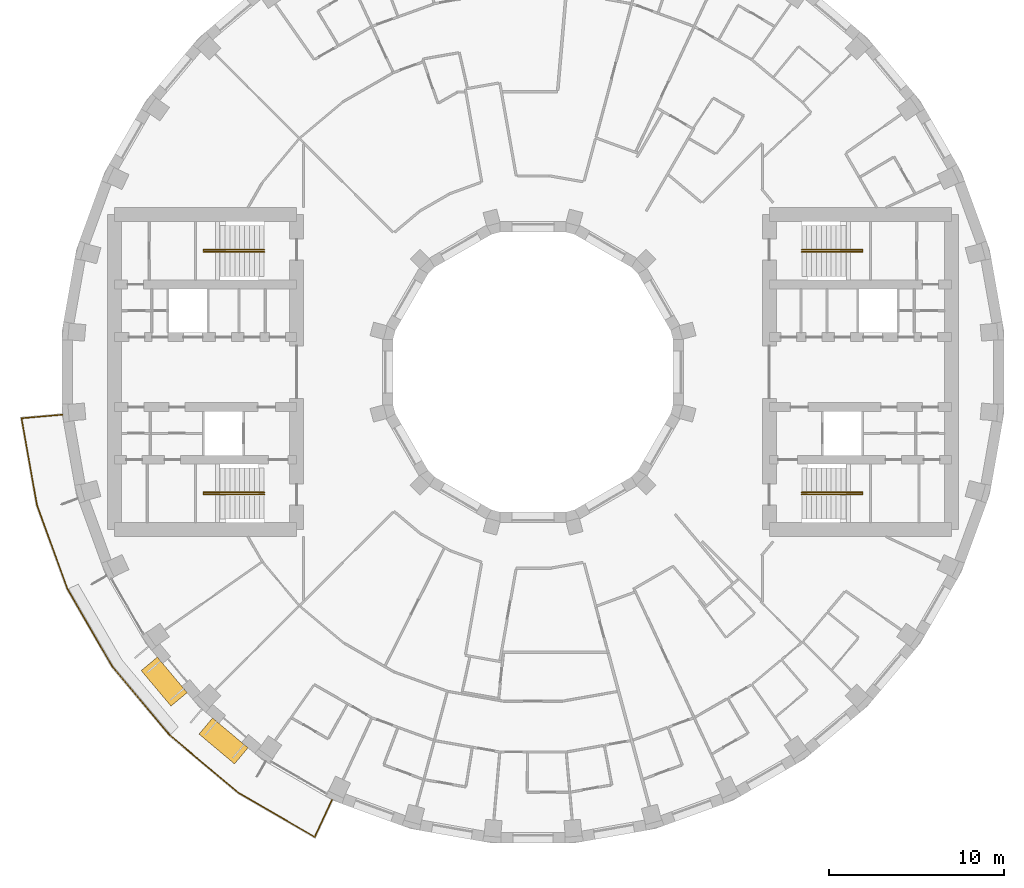
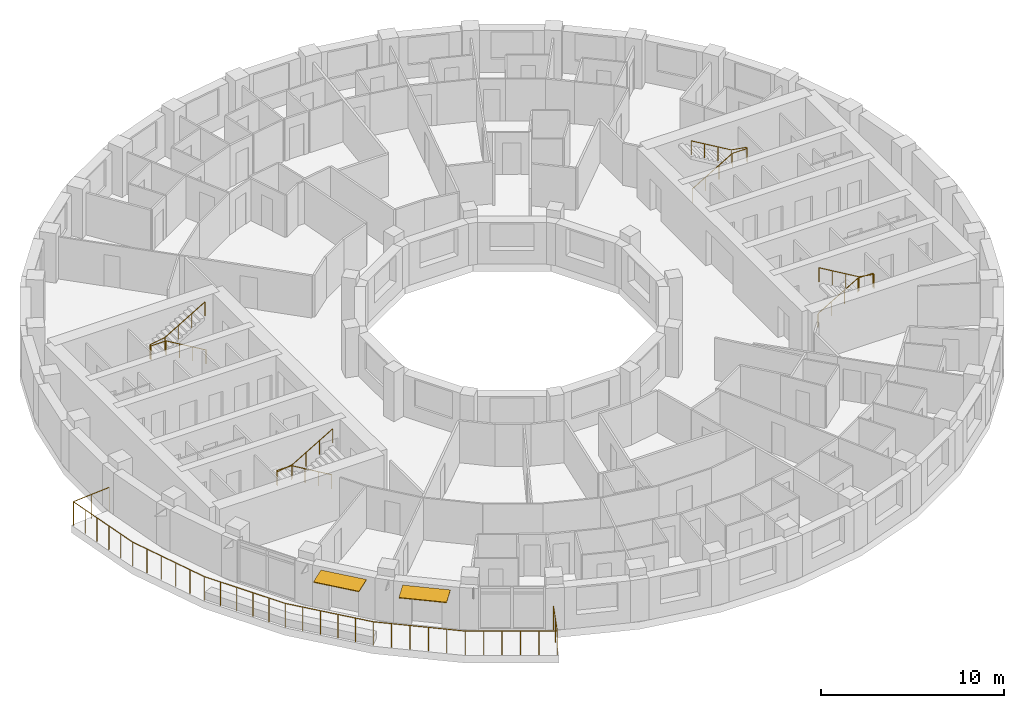
# One storey, part 16 of 16: 5 railings, 2 shading devices.
"""IFC4 building model written with IfcOpenShell, lengths in metres."""

from ifc_helpers import new_model, si_unit, direction, frame, origin, origin_2d, place, context, subcontext, project, spatial, rectangle, circle, extrude, material, layer, layer_set, type_object, element, save


model = new_model("IFC4")

# Units and contexts
model_context = context("Model", 3, precision=1e-05, world=origin(), true_north=direction((0.0, 1.0)))
body_context = subcontext(model_context, "Body", "Model", "MODEL_VIEW")
ifc_project = project(units=[si_unit("LENGTHUNIT", "METRE"), si_unit("AREAUNIT", "SQUARE_METRE"), si_unit("VOLUMEUNIT", "CUBIC_METRE"), si_unit("PLANEANGLEUNIT", "RADIAN"), si_unit("MASSUNIT", "GRAM", prefix="KILO")], contexts=[model_context])

# Site, building, storey
site_placement = place(None, origin())
site = spatial("IfcSite", under=ifc_project, at=site_placement, CompositionType="ELEMENT")
building_placement = place(site_placement, origin())
building = spatial("IfcBuilding", under=site, at=building_placement, Name="Saqina Gate Tower", CompositionType="ELEMENT")
storey_placement = place(building_placement, frame((0.0, 0.0, 121.60009765625)))
storey = spatial("IfcBuildingStorey", under=building, at=storey_placement, Name="L34", CompositionType="ELEMENT", Elevation=121.60009765625)

# Shading devices
ifc_material_1 = material(Name="Aluminium and fabric awning", Category="aluminium")
ifc_layer = layer(ifc_material_1, 0.050048828125)
ifc_layer_set = layer_set([ifc_layer], Name="AW-TERRACE")
shading_device_type = type_object("IfcShadingDeviceType", Name="AW-TERRACE", PredefinedType="AWNING", material=ifc_layer_set)
for number, where, z_axis, x_axis, name in (
    (1, (-21.064208984375, -17.6748046875, 2.52490234375), (0.0, 0.0, 1.0), (0.642787609687, -0.766044443119, 0.0), "Terrace awning L34 facet 22"),
    (2, (-17.6748046875, -21.064208984375, 2.52490234375), (0.0, 0.0, 1.0), (0.766044443119, -0.642787609687, 0.0), "Terrace awning L34 facet 23"),
):
    element("IfcShadingDevice", number, at=place(storey_placement, frame(where, z_axis=z_axis, x_axis=x_axis)), inside=storey, type_object=shading_device_type, Name=name, PredefinedType="AWNING", context=body_context, shape_type="SweptSolid", body=[
        extrude(rectangle(XDim=2.647705078125, YDim=1.199951171875, at=origin_2d()), origin(), (0.0, 0.0, 1.0), 0.050048828125),
    ])

# Railings
ifc_material_2 = material(Name="Stainless steel", Category="steel")
railing_type_1 = type_object("IfcRailingType", Name="RL-TERRACE", PredefinedType="GUARDRAIL", material=ifc_material_2)
railing_1_placement = place(storey_placement, frame((-26.83056640625, -2.427734375, 0.0)))
element("IfcRailing", 3, at=railing_1_placement, inside=storey, type_object=railing_type_1, Name="Terrace guard L34", PredefinedType="GUARDRAIL", context=body_context, shape_type="SweptSolid", body=[
    extrude(circle(Radius=0.02392578125, at=origin_2d()), frame((0.0, 0.0, 1.576171875), z_axis=(-0.996192497087, -0.087180896688, 0.0), x_axis=(0.087180896688, -0.996192497087, 0.0)), (0.0, 0.0, 1.0), 2.388671875),
    extrude(circle(Radius=0.02392578125, at=origin_2d()), frame((-2.379638671875, -0.208251953125, 1.576171875), z_axis=(0.174986307817, -0.984570866965, 0.0), x_axis=(0.984570866965, 0.174986307817, 0.0)), (0.0, 0.0, 1.0), 5.032470703125),
    extrude(circle(Radius=0.02392578125, at=origin_2d()), frame((-1.4990234375, -5.1630859375, 1.576171875), z_axis=(0.342011445423, -0.939695786518, 0.0), x_axis=(0.939695786518, 0.342011445423, 0.0)), (0.0, 0.0, 1.0), 5.112548828125),
    extrude(circle(Radius=0.02392578125, at=origin_2d()), frame((0.24951171875, -9.96728515625, 1.576171875), z_axis=(0.500011827544, -0.866018575041, 0.0), x_axis=(0.866018575041, 0.500011827544, 0.0)), (0.0, 0.0, 1.0), 5.1123046875),
    extrude(circle(Radius=0.02392578125, at=origin_2d()), frame((2.8056640625, -14.39453125, 1.576171875), z_axis=(0.642815711334, -0.766020862158, 0.0), x_axis=(0.766020862158, 0.642815711334, 0.0)), (0.0, 0.0, 1.0), 5.112548828125),
    extrude(circle(Radius=0.02392578125, at=origin_2d()), frame((6.092041015625, -18.310791015625, 1.576171875), z_axis=(0.766020862158, -0.642815711334, 0.0), x_axis=(0.642815711334, 0.766020862158, 0.0)), (0.0, 0.0, 1.0), 5.112548828125),
    extrude(circle(Radius=0.02392578125, at=origin_2d()), frame((10.00830078125, -21.59716796875, 1.576171875), z_axis=(0.86534767014, -0.501172036115, 0.0), x_axis=(0.501172036115, 0.86534767014, 0.0)), (0.0, 0.0, 1.0), 5.03271484375),
    extrude(circle(Radius=0.02392578125, at=origin_2d()), frame((14.36328125, -24.119384765625, 1.576171875), z_axis=(0.422600102855, 0.906316254443, 0.0), x_axis=(-0.906316254443, 0.422600102855, 0.0)), (0.0, 0.0, 1.0), 2.388916015625),
    extrude(circle(Radius=0.02099609375, at=origin_2d()), origin(), (0.0, 0.0, 1.0), 1.552001953125),
    extrude(circle(Radius=0.02099609375, at=origin_2d()), frame((-1.18994140625, -0.10400390625, 0.0)), (0.0, 0.0, 1.0), 1.552001953125),
    extrude(circle(Radius=0.02099609375, at=origin_2d()), frame((-2.379638671875, -0.208251953125, 0.0)), (0.0, 0.0, 1.0), 1.552001953125),
    extrude(circle(Radius=0.02099609375, at=origin_2d()), frame((-2.20361328125, -1.19921875, 0.0)), (0.0, 0.0, 1.0), 1.552001953125),
    extrude(circle(Radius=0.02099609375, at=origin_2d()), frame((-2.02734375, -2.190185546875, 0.0)), (0.0, 0.0, 1.0), 1.552001953125),
    extrude(circle(Radius=0.02099609375, at=origin_2d()), frame((-1.851318359375, -3.18115234375, 0.0)), (0.0, 0.0, 1.0), 1.552001953125),
    extrude(circle(Radius=0.02099609375, at=origin_2d()), frame((-1.675048828125, -4.172119140625, 0.0)), (0.0, 0.0, 1.0), 1.552001953125),
    extrude(circle(Radius=0.02099609375, at=origin_2d()), frame((-1.4990234375, -5.1630859375, 0.0)), (0.0, 0.0, 1.0), 1.552001953125),
    extrude(circle(Radius=0.02099609375, at=origin_2d()), frame((-1.1494140625, -6.1240234375, 0.0)), (0.0, 0.0, 1.0), 1.552001953125),
    extrude(circle(Radius=0.02099609375, at=origin_2d()), frame((-0.799560546875, -7.084716796875, 0.0)), (0.0, 0.0, 1.0), 1.552001953125),
    extrude(circle(Radius=0.02099609375, at=origin_2d()), frame((-0.449951171875, -8.045654296875, 0.0)), (0.0, 0.0, 1.0), 1.552001953125),
    extrude(circle(Radius=0.02099609375, at=origin_2d()), frame((-0.10009765625, -9.00634765625, 0.0)), (0.0, 0.0, 1.0), 1.552001953125),
    extrude(circle(Radius=0.02099609375, at=origin_2d()), frame((0.24951171875, -9.96728515625, 0.0)), (0.0, 0.0, 1.0), 1.552001953125),
    extrude(circle(Radius=0.02099609375, at=origin_2d()), frame((0.7607421875, -10.852783203125, 0.0)), (0.0, 0.0, 1.0), 1.552001953125),
    extrude(circle(Radius=0.02099609375, at=origin_2d()), frame((1.27197265625, -11.73828125, 0.0)), (0.0, 0.0, 1.0), 1.552001953125),
    extrude(circle(Radius=0.02099609375, at=origin_2d()), frame((1.783203125, -12.62353515625, 0.0)), (0.0, 0.0, 1.0), 1.552001953125),
    extrude(circle(Radius=0.02099609375, at=origin_2d()), frame((2.29443359375, -13.509033203125, 0.0)), (0.0, 0.0, 1.0), 1.552001953125),
    extrude(circle(Radius=0.02099609375, at=origin_2d()), frame((2.8056640625, -14.39453125, 0.0)), (0.0, 0.0, 1.0), 1.552001953125),
    extrude(circle(Radius=0.02099609375, at=origin_2d()), frame((3.462890625, -15.177734375, 0.0)), (0.0, 0.0, 1.0), 1.552001953125),
    extrude(circle(Radius=0.02099609375, at=origin_2d()), frame((4.1201171875, -15.9609375, 0.0)), (0.0, 0.0, 1.0), 1.552001953125),
    extrude(circle(Radius=0.02099609375, at=origin_2d()), frame((4.777587890625, -16.744384765625, 0.0)), (0.0, 0.0, 1.0), 1.552001953125),
    extrude(circle(Radius=0.02099609375, at=origin_2d()), frame((5.434814453125, -17.527587890625, 0.0)), (0.0, 0.0, 1.0), 1.552001953125),
    extrude(circle(Radius=0.02099609375, at=origin_2d()), frame((6.092041015625, -18.310791015625, 0.0)), (0.0, 0.0, 1.0), 1.552001953125),
    extrude(circle(Radius=0.02099609375, at=origin_2d()), frame((6.875244140625, -18.968017578125, 0.0)), (0.0, 0.0, 1.0), 1.552001953125),
    extrude(circle(Radius=0.02099609375, at=origin_2d()), frame((7.658447265625, -19.625244140625, 0.0)), (0.0, 0.0, 1.0), 1.552001953125),
    extrude(circle(Radius=0.02099609375, at=origin_2d()), frame((8.44189453125, -20.28271484375, 0.0)), (0.0, 0.0, 1.0), 1.552001953125),
    extrude(circle(Radius=0.02099609375, at=origin_2d()), frame((9.22509765625, -20.93994140625, 0.0)), (0.0, 0.0, 1.0), 1.552001953125),
    extrude(circle(Radius=0.02099609375, at=origin_2d()), frame((10.00830078125, -21.59716796875, 0.0)), (0.0, 0.0, 1.0), 1.552001953125),
    extrude(circle(Radius=0.02099609375, at=origin_2d()), frame((10.87939453125, -22.1015625, 0.0)), (0.0, 0.0, 1.0), 1.552001953125),
    extrude(circle(Radius=0.02099609375, at=origin_2d()), frame((11.750244140625, -22.60595703125, 0.0)), (0.0, 0.0, 1.0), 1.552001953125),
    extrude(circle(Radius=0.02099609375, at=origin_2d()), frame((12.621337890625, -23.110595703125, 0.0)), (0.0, 0.0, 1.0), 1.552001953125),
    extrude(circle(Radius=0.02099609375, at=origin_2d()), frame((13.4921875, -23.614990234375, 0.0)), (0.0, 0.0, 1.0), 1.552001953125),
    extrude(circle(Radius=0.02099609375, at=origin_2d()), frame((14.36328125, -24.119384765625, 0.0)), (0.0, 0.0, 1.0), 1.552001953125),
    extrude(circle(Radius=0.02099609375, at=origin_2d()), frame((14.8681640625, -23.036865234375, 0.0)), (0.0, 0.0, 1.0), 1.552001953125),
    extrude(circle(Radius=0.02099609375, at=origin_2d()), frame((15.372802734375, -21.954345703125, 0.0)), (0.0, 0.0, 1.0), 1.552001953125),
])
ifc_material_3 = material(Name="Stainless steel", Category="steel")
railing_type_2 = type_object("IfcRailingType", Name="STAIR HANDRAIL", PredefinedType="HANDRAIL", material=ifc_material_3)
railing_2_placement = place(storey_placement, frame((15.35009765625, 6.86669921875, 0.164794921875)))
element("IfcRailing", 4, at=railing_2_placement, inside=storey, type_object=railing_type_2, Name="EXIT STAIR 1 HANDRAIL", PredefinedType="HANDRAIL", context=body_context, shape_type="SweptSolid", body=[
    extrude(circle(Radius=0.02392578125, at=origin_2d()), frame((0.0, 0.0, 0.92578125), z_axis=(0.86152411907, 0.0, 0.507716645641), x_axis=(0.0, 1.0, 0.0)), (0.0, 0.0, 1.0), 2.925048828125),
    extrude(circle(Radius=0.02392578125, at=origin_2d()), frame((2.52001953125, 0.0, 2.4111328125), z_axis=(1.0, 0.0, 0.0), x_axis=(0.0, 1.0, 0.0)), (0.0, 0.0, 1.0), 0.949951171875),
    extrude(circle(Radius=0.02392578125, at=origin_2d()), frame((3.469970703125, 0.0, 2.4111328125), z_axis=(0.0, 1.0, 0.0), x_axis=(-1.0, 0.0, 0.0)), (0.0, 0.0, 1.0), 0.11669921875),
    extrude(circle(Radius=0.02392578125, at=origin_2d()), frame((3.469970703125, 0.11669921875, 2.4111328125), z_axis=(-0.985241474778, 0.0, 0.171170197109), x_axis=(0.0, -1.0, 0.0)), (0.0, 0.0, 1.0), 0.964111328125),
    extrude(circle(Radius=0.02392578125, at=origin_2d()), frame((2.52001953125, 0.11669921875, 2.576171875), z_axis=(-0.861560626758, 0.0, 0.507654692109), x_axis=(0.0, -1.0, 0.0)), (0.0, 0.0, 1.0), 2.925048828125),
    extrude(circle(Radius=0.02099609375, at=origin_2d()), origin(), (0.0, 0.0, 1.0), 0.90185546875),
    extrude(circle(Radius=0.02099609375, at=origin_2d()), frame((0.840087890625, 0.0, 0.4951171875)), (0.0, 0.0, 1.0), 0.90185546875),
    extrude(circle(Radius=0.02099609375, at=origin_2d()), frame((1.679931640625, 0.0, 0.989990234375)), (0.0, 0.0, 1.0), 0.90185546875),
    extrude(circle(Radius=0.02099609375, at=origin_2d()), frame((2.52001953125, 0.0, 1.485107421875)), (0.0, 0.0, 1.0), 0.90185546875),
    extrude(circle(Radius=0.02099609375, at=origin_2d()), frame((3.469970703125, 0.0, 1.485107421875)), (0.0, 0.0, 1.0), 0.90185546875),
    extrude(circle(Radius=0.02099609375, at=origin_2d()), frame((3.469970703125, 0.11669921875, 1.485107421875)), (0.0, 0.0, 1.0), 0.90185546875),
    extrude(circle(Radius=0.02099609375, at=origin_2d()), frame((2.52001953125, 0.11669921875, 1.650146484375)), (0.0, 0.0, 1.0), 0.90185546875),
    extrude(circle(Radius=0.02099609375, at=origin_2d()), frame((1.679931640625, 0.11669921875, 2.14501953125)), (0.0, 0.0, 1.0), 0.90185546875),
    extrude(circle(Radius=0.02099609375, at=origin_2d()), frame((0.840087890625, 0.11669921875, 2.64013671875)), (0.0, 0.0, 1.0), 0.90185546875),
    extrude(circle(Radius=0.02099609375, at=origin_2d()), frame((0.0, 0.11669921875, 3.135009765625)), (0.0, 0.0, 1.0), 0.90185546875),
])
railing_3_placement = place(storey_placement, frame((15.35009765625, -6.86669921875, 0.164794921875)))
element("IfcRailing", 5, at=railing_3_placement, inside=storey, type_object=railing_type_2, Name="EXIT STAIR 2 HANDRAIL", PredefinedType="HANDRAIL", context=body_context, shape_type="SweptSolid", body=[
    extrude(circle(Radius=0.02392578125, at=origin_2d()), frame((0.0, 0.0, 0.92578125), z_axis=(0.86152411907, 0.0, 0.507716645641), x_axis=(0.0, 1.0, 0.0)), (0.0, 0.0, 1.0), 2.925048828125),
    extrude(circle(Radius=0.02392578125, at=origin_2d()), frame((2.52001953125, 0.0, 2.4111328125), z_axis=(1.0, 0.0, 0.0), x_axis=(0.0, 1.0, 0.0)), (0.0, 0.0, 1.0), 0.949951171875),
    extrude(circle(Radius=0.02392578125, at=origin_2d()), frame((3.469970703125, 0.0, 2.4111328125), z_axis=(0.0, -1.0, 0.0), x_axis=(1.0, 0.0, 0.0)), (0.0, 0.0, 1.0), 0.11669921875),
    extrude(circle(Radius=0.02392578125, at=origin_2d()), frame((3.469970703125, -0.11669921875, 2.4111328125), z_axis=(-0.985241474778, 0.0, 0.171170197109), x_axis=(0.0, -1.0, 0.0)), (0.0, 0.0, 1.0), 0.964111328125),
    extrude(circle(Radius=0.02392578125, at=origin_2d()), frame((2.52001953125, -0.11669921875, 2.576171875), z_axis=(-0.861560626758, 0.0, 0.507654692109), x_axis=(0.0, -1.0, 0.0)), (0.0, 0.0, 1.0), 2.925048828125),
    extrude(circle(Radius=0.02099609375, at=origin_2d()), origin(), (0.0, 0.0, 1.0), 0.90185546875),
    extrude(circle(Radius=0.02099609375, at=origin_2d()), frame((0.840087890625, 0.0, 0.4951171875)), (0.0, 0.0, 1.0), 0.90185546875),
    extrude(circle(Radius=0.02099609375, at=origin_2d()), frame((1.679931640625, 0.0, 0.989990234375)), (0.0, 0.0, 1.0), 0.90185546875),
    extrude(circle(Radius=0.02099609375, at=origin_2d()), frame((2.52001953125, 0.0, 1.485107421875)), (0.0, 0.0, 1.0), 0.90185546875),
    extrude(circle(Radius=0.02099609375, at=origin_2d()), frame((3.469970703125, 0.0, 1.485107421875)), (0.0, 0.0, 1.0), 0.90185546875),
    extrude(circle(Radius=0.02099609375, at=origin_2d()), frame((3.469970703125, -0.11669921875, 1.485107421875)), (0.0, 0.0, 1.0), 0.90185546875),
    extrude(circle(Radius=0.02099609375, at=origin_2d()), frame((2.52001953125, -0.11669921875, 1.650146484375)), (0.0, 0.0, 1.0), 0.90185546875),
    extrude(circle(Radius=0.02099609375, at=origin_2d()), frame((1.679931640625, -0.11669921875, 2.14501953125)), (0.0, 0.0, 1.0), 0.90185546875),
    extrude(circle(Radius=0.02099609375, at=origin_2d()), frame((0.840087890625, -0.11669921875, 2.64013671875)), (0.0, 0.0, 1.0), 0.90185546875),
    extrude(circle(Radius=0.02099609375, at=origin_2d()), frame((0.0, -0.11669921875, 3.135009765625)), (0.0, 0.0, 1.0), 0.90185546875),
])
railing_4_placement = place(storey_placement, frame((-15.35009765625, 6.86669921875, 0.164794921875)))
element("IfcRailing", 6, at=railing_4_placement, inside=storey, type_object=railing_type_2, Name="EXIT STAIR 3 HANDRAIL", PredefinedType="HANDRAIL", context=body_context, shape_type="SweptSolid", body=[
    extrude(circle(Radius=0.02392578125, at=origin_2d()), frame((0.0, 0.0, 0.92578125), z_axis=(-0.86152411907, 0.0, 0.507716645641), x_axis=(0.0, -1.0, 0.0)), (0.0, 0.0, 1.0), 2.925048828125),
    extrude(circle(Radius=0.02392578125, at=origin_2d()), frame((-2.52001953125, 0.0, 2.4111328125), z_axis=(-1.0, 0.0, 0.0), x_axis=(0.0, -1.0, 0.0)), (0.0, 0.0, 1.0), 0.949951171875),
    extrude(circle(Radius=0.02392578125, at=origin_2d()), frame((-3.469970703125, 0.0, 2.4111328125), z_axis=(0.0, 1.0, 0.0), x_axis=(-1.0, 0.0, 0.0)), (0.0, 0.0, 1.0), 0.11669921875),
    extrude(circle(Radius=0.02392578125, at=origin_2d()), frame((-3.469970703125, 0.11669921875, 2.4111328125), z_axis=(0.985241474778, 0.0, 0.171170197109), x_axis=(0.0, 1.0, 0.0)), (0.0, 0.0, 1.0), 0.964111328125),
    extrude(circle(Radius=0.02392578125, at=origin_2d()), frame((-2.52001953125, 0.11669921875, 2.576171875), z_axis=(0.861560626758, 0.0, 0.507654692109), x_axis=(0.0, 1.0, 0.0)), (0.0, 0.0, 1.0), 2.925048828125),
    extrude(circle(Radius=0.02099609375, at=origin_2d()), origin(), (0.0, 0.0, 1.0), 0.90185546875),
    extrude(circle(Radius=0.02099609375, at=origin_2d()), frame((-0.840087890625, 0.0, 0.4951171875)), (0.0, 0.0, 1.0), 0.90185546875),
    extrude(circle(Radius=0.02099609375, at=origin_2d()), frame((-1.679931640625, 0.0, 0.989990234375)), (0.0, 0.0, 1.0), 0.90185546875),
    extrude(circle(Radius=0.02099609375, at=origin_2d()), frame((-2.52001953125, 0.0, 1.485107421875)), (0.0, 0.0, 1.0), 0.90185546875),
    extrude(circle(Radius=0.02099609375, at=origin_2d()), frame((-3.469970703125, 0.0, 1.485107421875)), (0.0, 0.0, 1.0), 0.90185546875),
    extrude(circle(Radius=0.02099609375, at=origin_2d()), frame((-3.469970703125, 0.11669921875, 1.485107421875)), (0.0, 0.0, 1.0), 0.90185546875),
    extrude(circle(Radius=0.02099609375, at=origin_2d()), frame((-2.52001953125, 0.11669921875, 1.650146484375)), (0.0, 0.0, 1.0), 0.90185546875),
    extrude(circle(Radius=0.02099609375, at=origin_2d()), frame((-1.679931640625, 0.11669921875, 2.14501953125)), (0.0, 0.0, 1.0), 0.90185546875),
    extrude(circle(Radius=0.02099609375, at=origin_2d()), frame((-0.840087890625, 0.11669921875, 2.64013671875)), (0.0, 0.0, 1.0), 0.90185546875),
    extrude(circle(Radius=0.02099609375, at=origin_2d()), frame((0.0, 0.11669921875, 3.135009765625)), (0.0, 0.0, 1.0), 0.90185546875),
])
railing_5_placement = place(storey_placement, frame((-15.35009765625, -6.86669921875, 0.164794921875)))
element("IfcRailing", 7, at=railing_5_placement, inside=storey, type_object=railing_type_2, Name="EXIT STAIR 4 HANDRAIL", PredefinedType="HANDRAIL", context=body_context, shape_type="SweptSolid", body=[
    extrude(circle(Radius=0.02392578125, at=origin_2d()), frame((0.0, 0.0, 0.92578125), z_axis=(-0.86152411907, 0.0, 0.507716645641), x_axis=(0.0, -1.0, 0.0)), (0.0, 0.0, 1.0), 2.925048828125),
    extrude(circle(Radius=0.02392578125, at=origin_2d()), frame((-2.52001953125, 0.0, 2.4111328125), z_axis=(-1.0, 0.0, 0.0), x_axis=(0.0, -1.0, 0.0)), (0.0, 0.0, 1.0), 0.949951171875),
    extrude(circle(Radius=0.02392578125, at=origin_2d()), frame((-3.469970703125, 0.0, 2.4111328125), z_axis=(0.0, -1.0, 0.0), x_axis=(1.0, 0.0, 0.0)), (0.0, 0.0, 1.0), 0.11669921875),
    extrude(circle(Radius=0.02392578125, at=origin_2d()), frame((-3.469970703125, -0.11669921875, 2.4111328125), z_axis=(0.985241474778, 0.0, 0.171170197109), x_axis=(0.0, 1.0, 0.0)), (0.0, 0.0, 1.0), 0.964111328125),
    extrude(circle(Radius=0.02392578125, at=origin_2d()), frame((-2.52001953125, -0.11669921875, 2.576171875), z_axis=(0.861560626758, 0.0, 0.507654692109), x_axis=(0.0, 1.0, 0.0)), (0.0, 0.0, 1.0), 2.925048828125),
    extrude(circle(Radius=0.02099609375, at=origin_2d()), origin(), (0.0, 0.0, 1.0), 0.90185546875),
    extrude(circle(Radius=0.02099609375, at=origin_2d()), frame((-0.840087890625, 0.0, 0.4951171875)), (0.0, 0.0, 1.0), 0.90185546875),
    extrude(circle(Radius=0.02099609375, at=origin_2d()), frame((-1.679931640625, 0.0, 0.989990234375)), (0.0, 0.0, 1.0), 0.90185546875),
    extrude(circle(Radius=0.02099609375, at=origin_2d()), frame((-2.52001953125, 0.0, 1.485107421875)), (0.0, 0.0, 1.0), 0.90185546875),
    extrude(circle(Radius=0.02099609375, at=origin_2d()), frame((-3.469970703125, 0.0, 1.485107421875)), (0.0, 0.0, 1.0), 0.90185546875),
    extrude(circle(Radius=0.02099609375, at=origin_2d()), frame((-3.469970703125, -0.11669921875, 1.485107421875)), (0.0, 0.0, 1.0), 0.90185546875),
    extrude(circle(Radius=0.02099609375, at=origin_2d()), frame((-2.52001953125, -0.11669921875, 1.650146484375)), (0.0, 0.0, 1.0), 0.90185546875),
    extrude(circle(Radius=0.02099609375, at=origin_2d()), frame((-1.679931640625, -0.11669921875, 2.14501953125)), (0.0, 0.0, 1.0), 0.90185546875),
    extrude(circle(Radius=0.02099609375, at=origin_2d()), frame((-0.840087890625, -0.11669921875, 2.64013671875)), (0.0, 0.0, 1.0), 0.90185546875),
    extrude(circle(Radius=0.02099609375, at=origin_2d()), frame((0.0, -0.11669921875, 3.135009765625)), (0.0, 0.0, 1.0), 0.90185546875),
])

save(model, "model.ifc")
